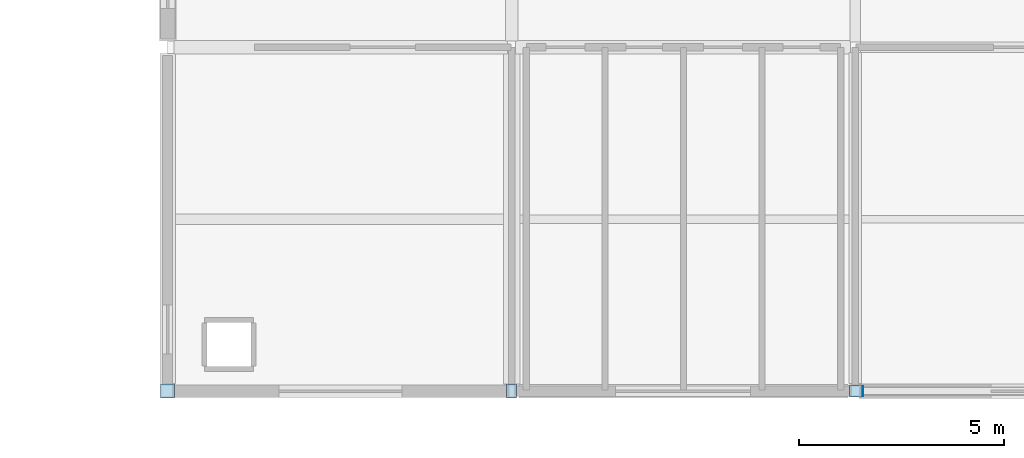
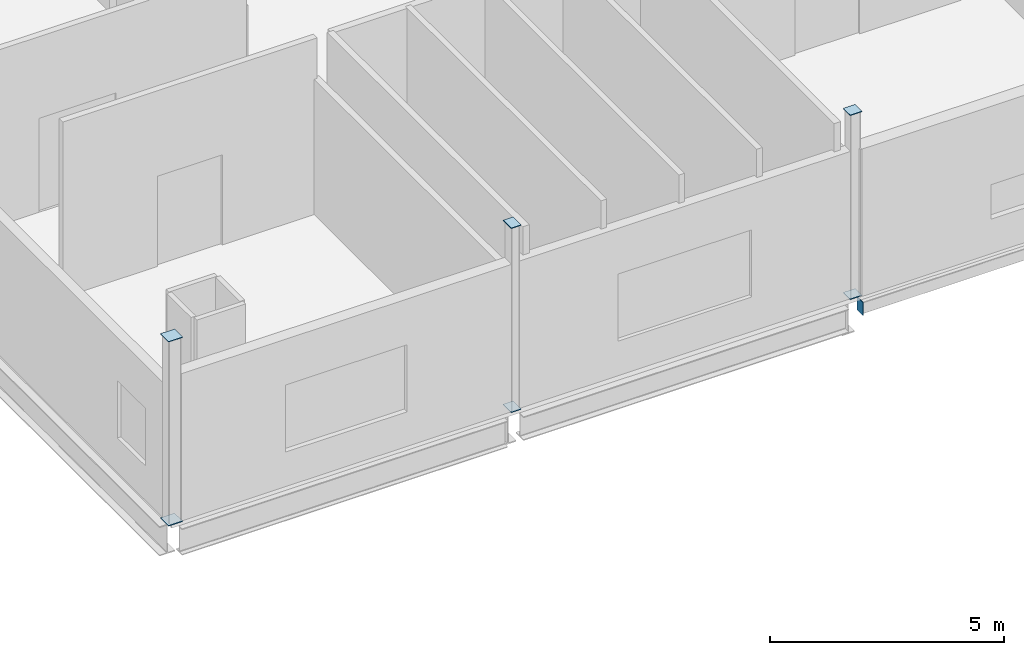
# One storey, part 11 of 27: 7 plates.
"""IFC4 building model written with IfcOpenShell, lengths in metres."""

from ifc_helpers import new_model, si_unit, direction, frame, origin, origin_2d, place, context, subcontext, project, spatial, rectangle, extrude, material, layer, layer_set, type_object, element, save


model = new_model("IFC4")

# Units and contexts
model_context = context("Model", 3, precision=1e-05, world=origin(), true_north=direction((0.0, 1.0)))
body_context = subcontext(model_context, "Body", "Model", "MODEL_VIEW")
ifc_project = project(units=[si_unit("LENGTHUNIT", "METRE"), si_unit("AREAUNIT", "SQUARE_METRE"), si_unit("VOLUMEUNIT", "CUBIC_METRE"), si_unit("PLANEANGLEUNIT", "RADIAN"), si_unit("MASSUNIT", "GRAM", prefix="KILO")], contexts=[model_context])

# Site, building, storey
site_placement = place(None, origin())
site = spatial("IfcSite", under=ifc_project, at=site_placement, CompositionType="ELEMENT")
building_placement = place(site_placement, origin())
building = spatial("IfcBuilding", under=site, at=building_placement, Name="Calvrana Isthmian Art Gallery", CompositionType="ELEMENT")
storey_placement = place(building_placement, frame((0.0, 0.0, 24.60009765625)))
storey = spatial("IfcBuildingStorey", under=building, at=storey_placement, Name="L05", CompositionType="ELEMENT", Elevation=24.60009765625)

# Plates
ifc_material = material(Name="Steel ASTM A572 Gr 50", Category="steel")
ifc_layer = layer(ifc_material, 0.01611328125, Name="Steel ASTM A572 Gr 50")
ifc_layer_set = layer_set([ifc_layer], Name="Steel ASTM A572 Gr 50")
plate_type = type_object("IfcPlateType", Name="PL-CAP-16", PredefinedType="SHEET", material=ifc_layer_set)
for number, where, z_axis, x_axis, name in (
    (1, (55.199951171875, 21.60009765625, -0.008056640625), (0.0, 0.0, 1.0), (1.0, 0.0, 0.0), "Hollow section end cap plate 099"),
    (2, (55.199951171875, 21.60009765625, 4.791748046875), (0.0, 0.0, 1.0), (1.0, 0.0, 0.0), "Hollow section end cap plate 100"),
):
    element("IfcPlate", number, at=place(storey_placement, frame(where, z_axis=z_axis, x_axis=x_axis)), inside=storey, type_object=plate_type, Name=name, PredefinedType="SHEET", context=body_context, shape_type="SweptSolid", body=[
        extrude(rectangle(XDim=0.3447265625, YDim=0.3447265625, at=origin_2d()), origin(), (0.0, 0.0, 1.0), 0.01611328125),
    ])
for number, where, z_axis, x_axis, name in (
    (3, (63.60009765625, 21.60009765625, -0.008056640625), (0.0, 0.0, 1.0), (1.0, 0.0, 0.0), "Hollow section end cap plate 131"),
    (4, (63.60009765625, 21.60009765625, 4.791748046875), (0.0, 0.0, 1.0), (1.0, 0.0, 0.0), "Hollow section end cap plate 132"),
):
    element("IfcPlate", number, at=place(storey_placement, frame(where, z_axis=z_axis, x_axis=x_axis)), inside=storey, type_object=plate_type, Name=name, PredefinedType="SHEET", context=body_context, shape_type="SweptSolid", body=[
        extrude(rectangle(XDim=0.2431640625, YDim=0.3447265625, at=origin_2d()), origin(), (0.0, 0.0, 1.0), 0.01611328125),
    ])
for number, where, z_axis, x_axis, name in (
    (5, (72.0, 21.60009765625, -0.008056640625), (0.0, 0.0, 1.0), (1.0, 0.0, 0.0), "Hollow section end cap plate 163"),
    (6, (72.0, 21.60009765625, 4.791748046875), (0.0, 0.0, 1.0), (1.0, 0.0, 0.0), "Hollow section end cap plate 164"),
):
    element("IfcPlate", number, at=place(storey_placement, frame(where, z_axis=z_axis, x_axis=x_axis)), inside=storey, type_object=plate_type, Name=name, PredefinedType="SHEET", context=body_context, shape_type="SweptSolid", body=[
        extrude(rectangle(XDim=0.2939453125, YDim=0.2939453125, at=origin_2d()), origin(), (0.0, 0.0, 1.0), 0.01611328125),
    ])
plate_placement = place(storey_placement, frame((72.1865234375, 21.60009765625, -0.5498046875), z_axis=(0.0, 0.0, 1.0), x_axis=(1.0, 0.0, 0.0)))
element("IfcPlate", 7, at=plate_placement, inside=storey, type_object=plate_type, Name="Hollow section end cap plate 495", PredefinedType="SHEET", context=body_context, shape_type="SweptSolid", body=[
    extrude(rectangle(XDim=0.01611328125, YDim=0.2431640625, at=origin_2d()), origin(), (0.0, 0.0, 1.0), 0.3447265625),
])

save(model, "model.ifc")
